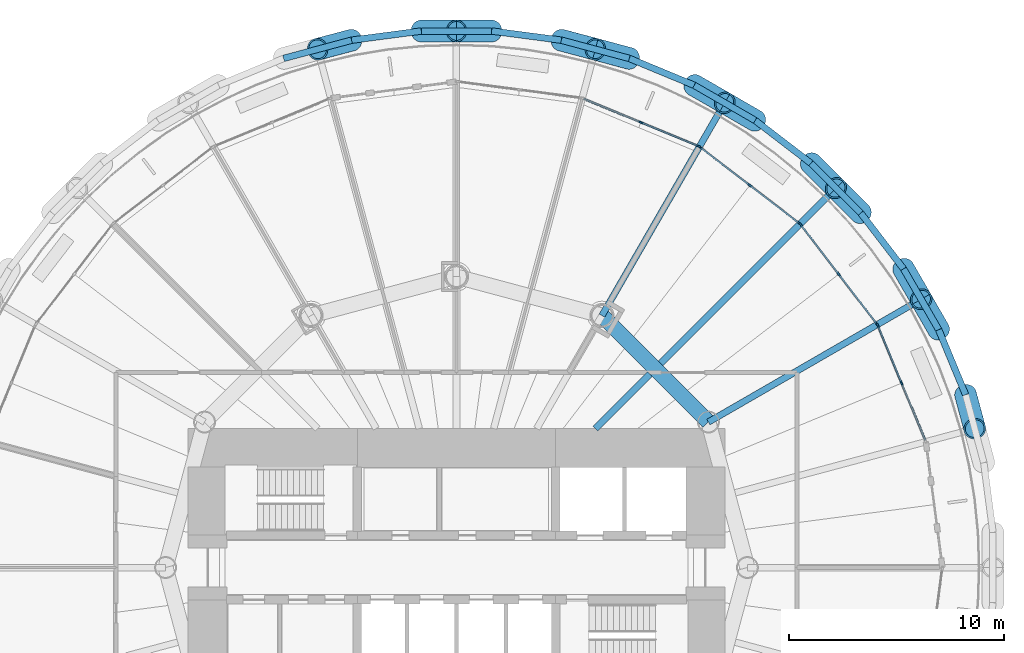
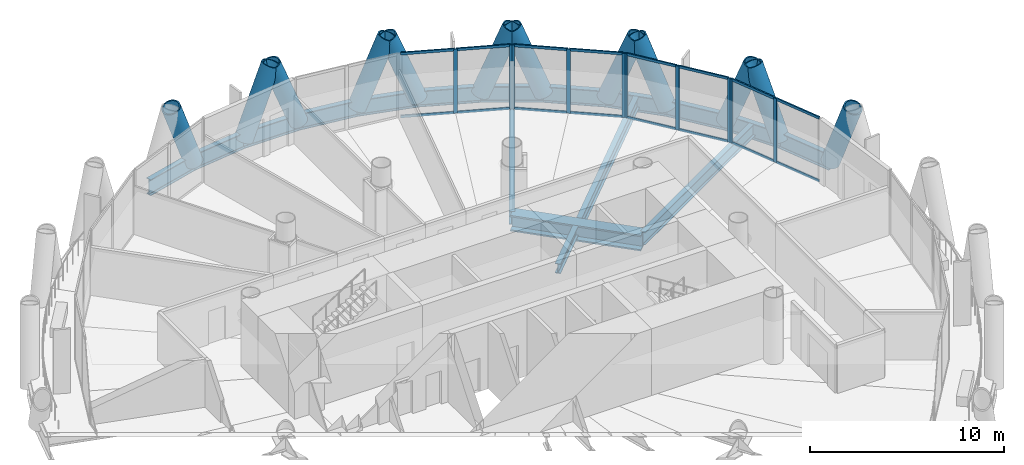
# One storey, part 7 of 16: 38 members, 17 beams, 4 elements without a shape of their own.
"""IFC4 building model written with IfcOpenShell, lengths in metres."""

from ifc_helpers import new_model, si_unit, direction, frame, origin, origin_2d, place, context, subcontext, project, spatial, rectangle, hollow_circle, i_section, extrude, material, material_profile, profile_set, type_object, element, aggregate, save


model = new_model("IFC4")

# Units and contexts
model_context = context("Model", 3, precision=1e-05, world=origin(), true_north=direction((0.0, 1.0)))
body_context = subcontext(model_context, "Body", "Model", "MODEL_VIEW")
ifc_project = project(units=[si_unit("LENGTHUNIT", "METRE"), si_unit("AREAUNIT", "SQUARE_METRE"), si_unit("VOLUMEUNIT", "CUBIC_METRE"), si_unit("PLANEANGLEUNIT", "RADIAN"), si_unit("MASSUNIT", "GRAM", prefix="KILO")], contexts=[model_context])

# Site, building, storey
site_placement = place(None, origin())
site = spatial("IfcSite", under=ifc_project, at=site_placement, CompositionType="ELEMENT")
building_placement = place(site_placement, origin())
building = spatial("IfcBuilding", under=site, at=building_placement, Name="Qaws Media Tower", CompositionType="ELEMENT")
storey_placement = place(building_placement, frame((0.0, 0.0, 139.39990234375)))
storey = spatial("IfcBuildingStorey", under=building, at=storey_placement, Name="L31", CompositionType="ELEMENT", Elevation=139.39990234375)

# Curtain wall, members
ifc_material_1 = material(Name="Aluminium and clear glass", Category="aluminium")
curtain_wall_type = type_object("IfcCurtainWallType", Name="Unitised curtain wall CW-B", PredefinedType="NOTDEFINED", material=ifc_material_1)
curtain_wall_1_placement = place(storey_placement, origin())
curtain_wall_1 = element("IfcCurtainWall", 1, at=curtain_wall_1_placement, inside=storey, type_object=curtain_wall_type, Name="CWB curtain wall L31-02", PredefinedType="NOTDEFINED")
ifc_material_2 = material(Name="Aluminium mullion", Category="aluminium")
ifc_material_profile_1 = material_profile(ifc_material_2, rectangle(XDim=0.080078125, YDim=0.199951171875, at=origin_2d()), Name="80x200")
ifc_profile_set_1 = profile_set([ifc_material_profile_1], Name="Aluminium mullion")
member_type_1 = type_object("IfcMemberType", Name="Curtain wall mullion 80x200", PredefinedType="MULLION", material=ifc_profile_set_1)
member_1_placement = place(storey_placement, frame((80.6552734375, 58.5556640625, 0.0), z_axis=(0.0, 0.0, 1.0), x_axis=(-0.923879575812, -0.382683327828, 0.0)))
member_1 = element("IfcMember", 2, at=member_1_placement, type_object=member_type_1, Name="CWB mullion 2", PredefinedType="MULLION", context=body_context, shape_type="SweptSolid", body=[
    extrude(rectangle(XDim=0.080078125, YDim=0.199951171875, at=origin_2d()), origin(), (0.0, 0.0, 1.0), 4.0400390625),
])
member_2_placement = place(storey_placement, frame((79.544189453125, 61.238037109375, 0.0), z_axis=(0.0, 0.0, 1.0), x_axis=(-0.923879575812, -0.382683327828, 0.0)))
member_2 = element("IfcMember", 3, at=member_2_placement, type_object=member_type_1, Name="CWB mullion 3", PredefinedType="MULLION", context=body_context, shape_type="SweptSolid", body=[
    extrude(rectangle(XDim=0.080078125, YDim=0.199951171875, at=origin_2d()), origin(), (0.0, 0.0, 1.0), 4.0400390625),
])

curtain_wall_2_placement = place(storey_placement, origin())
curtain_wall_2 = element("IfcCurtainWall", 4, at=curtain_wall_2_placement, inside=storey, type_object=curtain_wall_type, Name="CWB curtain wall L31-03", PredefinedType="NOTDEFINED")
member_3_placement = place(storey_placement, frame((79.504638671875, 61.306640625, 0.0), z_axis=(0.0, 0.0, 1.0), x_axis=(-0.793353340642, -0.608761428552, 0.0)))
member_3 = element("IfcMember", 5, at=member_3_placement, type_object=member_type_1, Name="CWB mullion 1", PredefinedType="MULLION", context=body_context, shape_type="SweptSolid", body=[
    extrude(rectangle(XDim=0.080078125, YDim=0.199951171875, at=origin_2d()), origin(), (0.0, 0.0, 1.0), 4.0400390625),
])
member_4_placement = place(storey_placement, frame((77.737060546875, 63.610107421875, 0.0), z_axis=(0.0, 0.0, 1.0), x_axis=(-0.793353340642, -0.608761428552, 0.0)))
member_4 = element("IfcMember", 6, at=member_4_placement, type_object=member_type_1, Name="CWB mullion 2", PredefinedType="MULLION", context=body_context, shape_type="SweptSolid", body=[
    extrude(rectangle(XDim=0.080078125, YDim=0.199951171875, at=origin_2d()), origin(), (0.0, 0.0, 1.0), 4.0400390625),
])
member_5_placement = place(storey_placement, frame((75.9697265625, 65.91357421875, 0.0), z_axis=(0.0, 0.0, 1.0), x_axis=(-0.793353340642, -0.608761428552, 0.0)))
member_5 = element("IfcMember", 7, at=member_5_placement, type_object=member_type_1, Name="CWB mullion 3", PredefinedType="MULLION", context=body_context, shape_type="SweptSolid", body=[
    extrude(rectangle(XDim=0.080078125, YDim=0.199951171875, at=origin_2d()), origin(), (0.0, 0.0, 1.0), 4.0400390625),
])

curtain_wall_3_placement = place(storey_placement, origin())
curtain_wall_3 = element("IfcCurtainWall", 8, at=curtain_wall_3_placement, inside=storey, type_object=curtain_wall_type, Name="CWB curtain wall L31-04", PredefinedType="NOTDEFINED")
member_6_placement = place(storey_placement, frame((75.91357421875, 65.9697265625, 0.0), z_axis=(0.0, 0.0, 1.0), x_axis=(-0.608761428552, -0.793353340642, 0.0)))
member_6 = element("IfcMember", 9, at=member_6_placement, type_object=member_type_1, Name="CWB mullion 1", PredefinedType="MULLION", context=body_context, shape_type="SweptSolid", body=[
    extrude(rectangle(XDim=0.080078125, YDim=0.199951171875, at=origin_2d()), origin(), (0.0, 0.0, 1.0), 4.0400390625),
])
member_7_placement = place(storey_placement, frame((73.610107421875, 67.737060546875, 0.0), z_axis=(0.0, 0.0, 1.0), x_axis=(-0.608761428552, -0.793353340642, 0.0)))
member_7 = element("IfcMember", 10, at=member_7_placement, type_object=member_type_1, Name="CWB mullion 2", PredefinedType="MULLION", context=body_context, shape_type="SweptSolid", body=[
    extrude(rectangle(XDim=0.080078125, YDim=0.199951171875, at=origin_2d()), origin(), (0.0, 0.0, 1.0), 4.0400390625),
])
member_8_placement = place(storey_placement, frame((71.306640625, 69.504638671875, 0.0), z_axis=(0.0, 0.0, 1.0), x_axis=(-0.608761428552, -0.793353340642, 0.0)))
member_8 = element("IfcMember", 11, at=member_8_placement, type_object=member_type_1, Name="CWB mullion 3", PredefinedType="MULLION", context=body_context, shape_type="SweptSolid", body=[
    extrude(rectangle(XDim=0.080078125, YDim=0.199951171875, at=origin_2d()), origin(), (0.0, 0.0, 1.0), 4.0400390625),
])

curtain_wall_4_placement = place(storey_placement, origin())
curtain_wall_4 = element("IfcCurtainWall", 12, at=curtain_wall_4_placement, inside=storey, type_object=curtain_wall_type, Name="CWB curtain wall L31-05", PredefinedType="NOTDEFINED")
member_9_placement = place(storey_placement, frame((71.238037109375, 69.544189453125, 0.0), z_axis=(0.0, 0.0, 1.0), x_axis=(-0.382683327828, -0.923879575812, 0.0)))
member_9 = element("IfcMember", 13, at=member_9_placement, type_object=member_type_1, Name="CWB mullion 1", PredefinedType="MULLION", context=body_context, shape_type="SweptSolid", body=[
    extrude(rectangle(XDim=0.080078125, YDim=0.199951171875, at=origin_2d()), origin(), (0.0, 0.0, 1.0), 4.0400390625),
])
member_10_placement = place(storey_placement, frame((68.5556640625, 70.6552734375, 0.0), z_axis=(0.0, 0.0, 1.0), x_axis=(-0.382683327828, -0.923879575812, 0.0)))
member_10 = element("IfcMember", 14, at=member_10_placement, type_object=member_type_1, Name="CWB mullion 2", PredefinedType="MULLION", context=body_context, shape_type="SweptSolid", body=[
    extrude(rectangle(XDim=0.080078125, YDim=0.199951171875, at=origin_2d()), origin(), (0.0, 0.0, 1.0), 4.0400390625),
])

# Member
ifc_material_3 = material(Name="Aluminium transom", Category="aluminium")
ifc_material_profile_2 = material_profile(ifc_material_3, rectangle(XDim=0.080078125, YDim=0.159912109375, at=origin_2d()), Name="80x160")
ifc_profile_set_2 = profile_set([ifc_material_profile_2], Name="Aluminium transom")
member_type_2 = type_object("IfcMemberType", Name="Curtain wall transom 80x160", PredefinedType="USERDEFINED", material=ifc_profile_set_2)
member_11_placement = place(storey_placement, frame((81.7509765625, 55.910400390625, 0.0400390625), z_axis=(-0.382649648969, 0.923893525329, 0.0), x_axis=(-0.923893525329, -0.382649648969, 0.0)))
member_11 = element("IfcMember", 15, at=member_11_placement, type_object=member_type_2, Name="CWB transom 1.1", ObjectType="TRANSOM", PredefinedType="USERDEFINED", context=body_context, shape_type="SweptSolid", body=[
    extrude(rectangle(XDim=0.080078125, YDim=0.159912109375, at=origin_2d()), origin(), (0.0, 0.0, 1.0), 2.8232421875),
])

member_12_placement = place(storey_placement, frame((81.7509765625, 55.910400390625, 4.0), z_axis=(-0.382649648969, 0.923893525329, 0.0), x_axis=(-0.923893525329, -0.382649648969, 0.0)))
member_12 = element("IfcMember", 16, at=member_12_placement, type_object=member_type_2, Name="CWB transom 1.2", ObjectType="TRANSOM", PredefinedType="USERDEFINED", context=body_context, shape_type="SweptSolid", body=[
    extrude(rectangle(XDim=0.080078125, YDim=0.159912109375, at=origin_2d()), origin(), (0.0, 0.0, 1.0), 2.8232421875),
])

member_13_placement = place(storey_placement, frame((80.639892578125, 58.592529296875, 0.0400390625), z_axis=(-0.382619080086, 0.923906185473, 0.0), x_axis=(-0.923906185473, -0.382619080086, 0.0)))
member_13 = element("IfcMember", 17, at=member_13_placement, type_object=member_type_2, Name="CWB transom 2.1", ObjectType="TRANSOM", PredefinedType="USERDEFINED", context=body_context, shape_type="SweptSolid", body=[
    extrude(rectangle(XDim=0.080078125, YDim=0.159912109375, at=origin_2d()), origin(), (0.0, 0.0, 1.0), 2.823486328125),
])

member_14_placement = place(storey_placement, frame((80.639892578125, 58.592529296875, 4.0), z_axis=(-0.382619080086, 0.923906185473, 0.0), x_axis=(-0.923906185473, -0.382619080086, 0.0)))
member_14 = element("IfcMember", 18, at=member_14_placement, type_object=member_type_2, Name="CWB transom 2.2", ObjectType="TRANSOM", PredefinedType="USERDEFINED", context=body_context, shape_type="SweptSolid", body=[
    extrude(rectangle(XDim=0.080078125, YDim=0.159912109375, at=origin_2d()), origin(), (0.0, 0.0, 1.0), 2.823486328125),
])

aggregate(curtain_wall_1, [member_1, member_2, member_11, member_12, member_13, member_14])

member_15_placement = place(storey_placement, frame((79.480224609375, 61.33837890625, 0.0400390625), z_axis=(-0.608749177051, 0.793362741399, 0.0), x_axis=(-0.793362741399, -0.608749177051, 0.0)))
member_15 = element("IfcMember", 19, at=member_15_placement, type_object=member_type_2, Name="CWB transom 1.1", ObjectType="TRANSOM", PredefinedType="USERDEFINED", context=body_context, shape_type="SweptSolid", body=[
    extrude(rectangle(XDim=0.080078125, YDim=0.159912109375, at=origin_2d()), origin(), (0.0, 0.0, 1.0), 2.823486328125),
])

member_16_placement = place(storey_placement, frame((79.480224609375, 61.33837890625, 4.0), z_axis=(-0.608749177051, 0.793362741399, 0.0), x_axis=(-0.793362741399, -0.608749177051, 0.0)))
member_16 = element("IfcMember", 20, at=member_16_placement, type_object=member_type_2, Name="CWB transom 1.2", ObjectType="TRANSOM", PredefinedType="USERDEFINED", context=body_context, shape_type="SweptSolid", body=[
    extrude(rectangle(XDim=0.080078125, YDim=0.159912109375, at=origin_2d()), origin(), (0.0, 0.0, 1.0), 2.823486328125),
])

member_17_placement = place(storey_placement, frame((77.712646484375, 63.641845703125, 0.0400390625), z_axis=(-0.608749177051, 0.793362741399, 0.0), x_axis=(-0.793362741399, -0.608749177051, 0.0)))
member_17 = element("IfcMember", 21, at=member_17_placement, type_object=member_type_2, Name="CWB transom 2.1", ObjectType="TRANSOM", PredefinedType="USERDEFINED", context=body_context, shape_type="SweptSolid", body=[
    extrude(rectangle(XDim=0.080078125, YDim=0.159912109375, at=origin_2d()), origin(), (0.0, 0.0, 1.0), 2.823486328125),
])

member_18_placement = place(storey_placement, frame((77.712646484375, 63.641845703125, 4.0), z_axis=(-0.608749177051, 0.793362741399, 0.0), x_axis=(-0.793362741399, -0.608749177051, 0.0)))
member_18 = element("IfcMember", 22, at=member_18_placement, type_object=member_type_2, Name="CWB transom 2.2", ObjectType="TRANSOM", PredefinedType="USERDEFINED", context=body_context, shape_type="SweptSolid", body=[
    extrude(rectangle(XDim=0.080078125, YDim=0.159912109375, at=origin_2d()), origin(), (0.0, 0.0, 1.0), 2.823486328125),
])

aggregate(curtain_wall_2, [member_3, member_4, member_5, member_15, member_16, member_17, member_18])

member_19_placement = place(storey_placement, frame((75.8818359375, 65.993896484375, 0.0400390625), z_axis=(-0.793362741399, 0.608749177051, 0.0), x_axis=(-0.608749177051, -0.793362741399, 0.0)))
member_19 = element("IfcMember", 23, at=member_19_placement, type_object=member_type_2, Name="CWB transom 1.1", ObjectType="TRANSOM", PredefinedType="USERDEFINED", context=body_context, shape_type="SweptSolid", body=[
    extrude(rectangle(XDim=0.080078125, YDim=0.159912109375, at=origin_2d()), origin(), (0.0, 0.0, 1.0), 2.823486328125),
])

member_20_placement = place(storey_placement, frame((75.8818359375, 65.993896484375, 4.0), z_axis=(-0.793362741399, 0.608749177051, 0.0), x_axis=(-0.608749177051, -0.793362741399, 0.0)))
member_20 = element("IfcMember", 24, at=member_20_placement, type_object=member_type_2, Name="CWB transom 1.2", ObjectType="TRANSOM", PredefinedType="USERDEFINED", context=body_context, shape_type="SweptSolid", body=[
    extrude(rectangle(XDim=0.080078125, YDim=0.159912109375, at=origin_2d()), origin(), (0.0, 0.0, 1.0), 2.823486328125),
])

member_21_placement = place(storey_placement, frame((73.578369140625, 67.761474609375, 0.0400390625), z_axis=(-0.793362741399, 0.608749177051, 0.0), x_axis=(-0.608749177051, -0.793362741399, 0.0)))
member_21 = element("IfcMember", 25, at=member_21_placement, type_object=member_type_2, Name="CWB transom 2.1", ObjectType="TRANSOM", PredefinedType="USERDEFINED", context=body_context, shape_type="SweptSolid", body=[
    extrude(rectangle(XDim=0.080078125, YDim=0.159912109375, at=origin_2d()), origin(), (0.0, 0.0, 1.0), 2.823486328125),
])

member_22_placement = place(storey_placement, frame((73.578369140625, 67.761474609375, 4.0), z_axis=(-0.793362741399, 0.608749177051, 0.0), x_axis=(-0.608749177051, -0.793362741399, 0.0)))
member_22 = element("IfcMember", 26, at=member_22_placement, type_object=member_type_2, Name="CWB transom 2.2", ObjectType="TRANSOM", PredefinedType="USERDEFINED", context=body_context, shape_type="SweptSolid", body=[
    extrude(rectangle(XDim=0.080078125, YDim=0.159912109375, at=origin_2d()), origin(), (0.0, 0.0, 1.0), 2.823486328125),
])

aggregate(curtain_wall_3, [member_6, member_7, member_8, member_19, member_20, member_21, member_22])

member_23_placement = place(storey_placement, frame((71.201171875, 69.5595703125, 0.0400390625), z_axis=(-0.923906185473, 0.382619080086, 0.0), x_axis=(-0.382619080086, -0.923906185473, 0.0)))
member_23 = element("IfcMember", 27, at=member_23_placement, type_object=member_type_2, Name="CWB transom 1.1", ObjectType="TRANSOM", PredefinedType="USERDEFINED", context=body_context, shape_type="SweptSolid", body=[
    extrude(rectangle(XDim=0.080078125, YDim=0.159912109375, at=origin_2d()), origin(), (0.0, 0.0, 1.0), 2.823486328125),
])

member_24_placement = place(storey_placement, frame((71.201171875, 69.5595703125, 4.0), z_axis=(-0.923906185473, 0.382619080086, 0.0), x_axis=(-0.382619080086, -0.923906185473, 0.0)))
member_24 = element("IfcMember", 28, at=member_24_placement, type_object=member_type_2, Name="CWB transom 1.2", ObjectType="TRANSOM", PredefinedType="USERDEFINED", context=body_context, shape_type="SweptSolid", body=[
    extrude(rectangle(XDim=0.080078125, YDim=0.159912109375, at=origin_2d()), origin(), (0.0, 0.0, 1.0), 2.823486328125),
])

member_25_placement = place(storey_placement, frame((68.518798828125, 70.670654296875, 0.0400390625), z_axis=(-0.923893525329, 0.382649648969, 0.0), x_axis=(-0.382649648969, -0.923893525329, 0.0)))
member_25 = element("IfcMember", 29, at=member_25_placement, type_object=member_type_2, Name="CWB transom 2.1", ObjectType="TRANSOM", PredefinedType="USERDEFINED", context=body_context, shape_type="SweptSolid", body=[
    extrude(rectangle(XDim=0.080078125, YDim=0.159912109375, at=origin_2d()), origin(), (0.0, 0.0, 1.0), 2.8232421875),
])

member_26_placement = place(storey_placement, frame((68.518798828125, 70.670654296875, 4.0), z_axis=(-0.923893525329, 0.382649648969, 0.0), x_axis=(-0.382649648969, -0.923893525329, 0.0)))
member_26 = element("IfcMember", 30, at=member_26_placement, type_object=member_type_2, Name="CWB transom 2.2", ObjectType="TRANSOM", PredefinedType="USERDEFINED", context=body_context, shape_type="SweptSolid", body=[
    extrude(rectangle(XDim=0.080078125, YDim=0.159912109375, at=origin_2d()), origin(), (0.0, 0.0, 1.0), 2.8232421875),
])

aggregate(curtain_wall_4, [member_9, member_10, member_23, member_24, member_25, member_26])

# Members
ifc_material_4 = material(Name="Steel S460", Category="steel")
ifc_material_profile_3 = material_profile(ifc_material_4, hollow_circle(Radius=0.508056640625, WallThickness=0.070068359375, at=origin_2d()), Name="CHS 1016x70")
ifc_profile_set_3 = profile_set([ifc_material_profile_3], Name="Steel S460")
member_type_3 = type_object("IfcMemberType", Name="Diagrid member CHS 1016x70", PredefinedType="USERDEFINED", material=ifc_profile_set_3)
for number, where, z_axis, x_axis, name in (
    (31, (82.376953125, 61.03515625, -0.663818359375), (-0.180431724863, 0.313994548223, 0.932122211059), (-0.867043661237, -0.498232164266, 0.0), "DG3 diagrid L31 A02"),
    (32, (83.6259765625, 58.02001953125, -0.663818359375), (0.094441035897, -0.349643146667, 0.932110809254), (0.965403100068, 0.260762064686, 0.0), "DG3 diagrid L31 B02"),
    (33, (78.75830078125, 66.45068359375, -0.663818359375), (-0.255530549605, 0.25661422454, 0.932122995094), (-0.708601400522, -0.705608995959, 0.0), "DG3 diagrid L31 A03"),
    (34, (80.7451171875, 63.861572265625, -0.663818359375), (0.181729488712, -0.313285600397, 0.932108644696), (0.865002619616, 0.501767344551, 0.0), "DG3 diagrid L31 B03"),
    (35, (73.861572265625, 70.7451171875, -0.663818359375), (-0.313285600397, 0.181729488712, 0.932108644696), (-0.501767344551, -0.865002619616, 0.0), "DG3 diagrid L31 A04"),
    (36, (76.45068359375, 68.75830078125, -0.663818359375), (0.25661422454, -0.255530549605, 0.932122995094), (0.705608995959, 0.708601400522, 0.0), "DG3 diagrid L31 B04"),
    (37, (68.02001953125, 73.6259765625, -0.663818359375), (-0.349643146667, 0.094441035897, 0.932110809254), (-0.260762064686, -0.965403100068, 0.0), "DG3 diagrid L31 A05"),
    (38, (71.03515625, 72.376953125, -0.663818359375), (0.313994548223, -0.180431724863, 0.932122211059), (0.498232164266, 0.867043661237, 0.0), "DG3 diagrid L31 B05"),
    (39, (61.6318359375, 74.896484375, -0.663818359375), (-0.3621611329, 0.000758566107, 0.932115195882), (-0.002094549565, -0.999997806429, 0.0), "DG3 diagrid L31 A06"),
    (40, (64.867431640625, 74.470703125, -0.663818359375), (0.350022206489, -0.09303221804, 0.93211021954), (0.256871087531, 0.966445675861, 0.0), "DG3 diagrid L31 B06"),
    (41, (55.132568359375, 74.470703125, -0.663818359375), (-0.350022206489, -0.09303221804, 0.93211021954), (0.256871087531, -0.966445675861, 0.0), "DG3 diagrid L31 A07"),
    (42, (58.3681640625, 74.896484375, -0.663818359375), (0.3621611329, 0.000758566107, 0.932115195882), (-0.002094549565, 0.999997806429, 0.0), "DG3 diagrid L31 B07"),
):
    element("IfcMember", number, at=place(storey_placement, frame(where, z_axis=z_axis, x_axis=x_axis)), inside=storey, type_object=member_type_3, Name=name, ObjectType="DIAGRID", PredefinedType="USERDEFINED", context=body_context, shape_type="SweptSolid", body=[
        extrude(hollow_circle(Radius=0.508056640625, WallThickness=0.070068359375, at=origin_2d()), origin(), (0.0, 0.0, 1.0), 4.505859375),
    ])

# Beams
ifc_material_5 = material(Name="Steel S460", Category="steel")
ifc_material_profile_4 = material_profile(ifc_material_5, i_section(OverallWidth=0.302001953125, OverallDepth=1.008056640625, WebThickness=0.02099609375, FlangeThickness=0.0400390625, FilletRadius=0.030029296875, at=origin_2d()), Name="HE 1000 M")
ifc_profile_set_4 = profile_set([ifc_material_profile_4], Name="Steel S460")
beam_type_1 = type_object("IfcBeamType", Name="Edge ring beam HE 1000 M", PredefinedType="BEAM", material=ifc_profile_set_4)
for number, where, z_axis, x_axis, name in (
    (43, (83.6259765625, 58.02001953125, -0.663818359375), (-0.382712963939, 0.92386729958, 0.0), (-0.92386729958, -0.382712963939, 0.0), "RB3 edge ring beam L31-03"),
    (44, (82.376953125, 61.03515625, -0.663818359375), (-0.500000893942, 0.866024887666, 0.0), (-0.866024887666, -0.500000893942, 0.0), "RB3 edge ring beam L31-04"),
    (45, (80.7451171875, 63.861572265625, -0.663818359375), (-0.608784843592, 0.793335373101, 0.0), (-0.793335373101, -0.608784843592, 0.0), "RB3 edge ring beam L31-05"),
):
    element("IfcBeam", number, at=place(storey_placement, frame(where, z_axis=z_axis, x_axis=x_axis)), inside=storey, type_object=beam_type_1, Name=name, PredefinedType="BEAM", context=body_context, shape_type="SweptSolid", body=[
        extrude(i_section(OverallWidth=0.302001953125, OverallDepth=1.008056640625, WebThickness=0.02099609375, FlangeThickness=0.0400390625, FilletRadius=0.030029296875, at=origin_2d()), origin(), (0.0, 0.0, 1.0), 3.263671875),
    ])
beam_1_placement = place(storey_placement, frame((78.75830078125, 66.45068359375, -0.663818359375), z_axis=(-0.707106781187, 0.707106781187, 0.0), x_axis=(-0.707106781187, -0.707106781187, 0.0)))
element("IfcBeam", 46, at=beam_1_placement, inside=storey, type_object=beam_type_1, Name="RB3 edge ring beam L31-06", PredefinedType="BEAM", context=body_context, shape_type="SweptSolid", body=[
    extrude(i_section(OverallWidth=0.302001953125, OverallDepth=1.008056640625, WebThickness=0.02099609375, FlangeThickness=0.0400390625, FilletRadius=0.030029296875, at=origin_2d()), origin(), (0.0, 0.0, 1.0), 3.263427734375),
])
for number, where, z_axis, x_axis, name in (
    (47, (76.45068359375, 68.75830078125, -0.663818359375), (-0.793335373101, 0.608784843592, 0.0), (-0.608784843592, -0.793335373101, 0.0), "RB3 edge ring beam L31-07"),
    (48, (73.861572265625, 70.7451171875, -0.663818359375), (-0.866024887666, 0.500000893942, 0.0), (-0.500000893942, -0.866024887666, 0.0), "RB3 edge ring beam L31-08"),
    (49, (71.03515625, 72.376953125, -0.663818359375), (-0.92386729958, 0.382712963939, 0.0), (-0.382712963939, -0.92386729958, 0.0), "RB3 edge ring beam L31-09"),
):
    element("IfcBeam", number, at=place(storey_placement, frame(where, z_axis=z_axis, x_axis=x_axis)), inside=storey, type_object=beam_type_1, Name=name, PredefinedType="BEAM", context=body_context, shape_type="SweptSolid", body=[
        extrude(i_section(OverallWidth=0.302001953125, OverallDepth=1.008056640625, WebThickness=0.02099609375, FlangeThickness=0.0400390625, FilletRadius=0.030029296875, at=origin_2d()), origin(), (0.0, 0.0, 1.0), 3.263671875),
    ])
beam_2_placement = place(storey_placement, frame((68.02001953125, 73.6259765625, -0.663818359375), z_axis=(-0.965926348444, 0.258817096385, 0.0), x_axis=(-0.258817096385, -0.965926348444, 0.0)))
element("IfcBeam", 50, at=beam_2_placement, inside=storey, type_object=beam_type_1, Name="RB3 edge ring beam L31-10", PredefinedType="BEAM", context=body_context, shape_type="SweptSolid", body=[
    extrude(i_section(OverallWidth=0.302001953125, OverallDepth=1.008056640625, WebThickness=0.02099609375, FlangeThickness=0.0400390625, FilletRadius=0.030029296875, at=origin_2d()), origin(), (0.0, 0.0, 1.0), 3.263916015625),
])
beam_3_placement = place(storey_placement, frame((64.867431640625, 74.470703125, -0.663818359375), z_axis=(-0.991452513055, 0.130468058762, 0.0), x_axis=(-0.130468058762, -0.991452513055, 0.0)))
element("IfcBeam", 51, at=beam_3_placement, inside=storey, type_object=beam_type_1, Name="RB3 edge ring beam L31-11", PredefinedType="BEAM", context=body_context, shape_type="SweptSolid", body=[
    extrude(i_section(OverallWidth=0.302001953125, OverallDepth=1.008056640625, WebThickness=0.02099609375, FlangeThickness=0.0400390625, FilletRadius=0.030029296875, at=origin_2d()), origin(), (0.0, 0.0, 1.0), 3.263427734375),
])
beam_4_placement = place(storey_placement, frame((61.6318359375, 74.896484375, -0.663818359375), z_axis=(-1.0, 0.0, 0.0), x_axis=(0.0, -1.0, 0.0)))
element("IfcBeam", 52, at=beam_4_placement, inside=storey, type_object=beam_type_1, Name="RB3 edge ring beam L31-12", PredefinedType="BEAM", context=body_context, shape_type="SweptSolid", body=[
    extrude(i_section(OverallWidth=0.302001953125, OverallDepth=1.008056640625, WebThickness=0.02099609375, FlangeThickness=0.0400390625, FilletRadius=0.030029296875, at=origin_2d()), origin(), (0.0, 0.0, 1.0), 3.263671875),
])
beam_5_placement = place(storey_placement, frame((58.3681640625, 74.896484375, -0.663818359375), z_axis=(-0.991452513055, -0.130468058762, 0.0), x_axis=(0.130468058762, -0.991452513055, 0.0)))
element("IfcBeam", 53, at=beam_5_placement, inside=storey, type_object=beam_type_1, Name="RB3 edge ring beam L31-13", PredefinedType="BEAM", context=body_context, shape_type="SweptSolid", body=[
    extrude(i_section(OverallWidth=0.302001953125, OverallDepth=1.008056640625, WebThickness=0.02099609375, FlangeThickness=0.0400390625, FilletRadius=0.030029296875, at=origin_2d()), origin(), (0.0, 0.0, 1.0), 3.263427734375),
])
beam_6_placement = place(storey_placement, frame((55.132568359375, 74.470703125, -0.663818359375), z_axis=(-0.965926348444, -0.258817096385, 0.0), x_axis=(0.258817096385, -0.965926348444, 0.0)))
element("IfcBeam", 54, at=beam_6_placement, inside=storey, type_object=beam_type_1, Name="RB3 edge ring beam L31-14", PredefinedType="BEAM", context=body_context, shape_type="SweptSolid", body=[
    extrude(i_section(OverallWidth=0.302001953125, OverallDepth=1.008056640625, WebThickness=0.02099609375, FlangeThickness=0.0400390625, FilletRadius=0.030029296875, at=origin_2d()), origin(), (0.0, 0.0, 1.0), 3.263916015625),
])
ifc_material_6 = material(Name="Steel S460", Category="steel")
ifc_material_profile_5 = material_profile(ifc_material_6, i_section(OverallWidth=0.699951171875, OverallDepth=1.0, WebThickness=0.034912109375, FlangeThickness=0.090087890625, at=origin_2d()), Name="PG 1000x700")
ifc_profile_set_5 = profile_set([ifc_material_profile_5], Name="Steel S460")
beam_type_2 = type_object("IfcBeamType", Name="Inner ring girder PG 1000x700", PredefinedType="BEAM", material=ifc_profile_set_5)
beam_7_placement = place(storey_placement, frame((71.69140625, 56.75, -0.659912109375), z_axis=(-0.707106781187, 0.707106781187, 0.0), x_axis=(-0.707106781187, -0.707106781187, 0.0)))
element("IfcBeam", 55, at=beam_7_placement, inside=storey, type_object=beam_type_2, Name="B3 inner ring beam L31 I02-I03", PredefinedType="BEAM", context=body_context, shape_type="SweptSolid", body=[
    extrude(i_section(OverallWidth=0.699951171875, OverallDepth=1.0, WebThickness=0.034912109375, FlangeThickness=0.090087890625, at=origin_2d()), origin(), (0.0, 0.0, 1.0), 6.98828125),
])
ifc_material_7 = material(Name="Steel S355", Category="steel")
ifc_material_profile_6 = material_profile(ifc_material_7, i_section(OverallWidth=0.304931640625, OverallDepth=0.6201171875, WebThickness=0.02099609375, FlangeThickness=0.0400390625, FilletRadius=0.027099609375, at=origin_2d()), Name="HE 600 M")
ifc_profile_set_6 = profile_set([ifc_material_profile_6], Name="Steel S355")
beam_type_3 = type_object("IfcBeamType", Name="Radial beam HE 600 M, core side", PredefinedType="BEAM", material=ifc_profile_set_6)
beam_8_placement = place(storey_placement, frame((66.449951171875, 56.449951171875, -0.469970703125), z_axis=(0.707106781187, 0.707106781187, 0.0), x_axis=(-0.707106781187, 0.707106781187, 0.0)))
element("IfcBeam", 56, at=beam_8_placement, inside=storey, type_object=beam_type_3, Name="B2 radial beam L31 04", PredefinedType="BEAM", context=body_context, shape_type="SweptSolid", body=[
    extrude(i_section(OverallWidth=0.304931640625, OverallDepth=0.6201171875, WebThickness=0.02099609375, FlangeThickness=0.0400390625, FilletRadius=0.027099609375, at=origin_2d()), origin(), (0.0, 0.0, 1.0), 3.568359375),
])
ifc_material_8 = material(Name="Steel S355", Category="steel")
ifc_material_profile_7 = material_profile(ifc_material_8, i_section(OverallWidth=0.300048828125, OverallDepth=0.800048828125, WebThickness=0.017578125, FlangeThickness=0.032958984375, FilletRadius=0.030029296875, at=origin_2d()), Name="HE 800 B")
ifc_profile_set_7 = profile_set([ifc_material_profile_7], Name="Steel S355")
beam_type_4 = type_object("IfcBeamType", Name="Radial beam HE 800 B", PredefinedType="BEAM", material=ifc_profile_set_7)
beam_9_placement = place(storey_placement, frame((71.69140625, 56.75, -0.559814453125), z_axis=(0.866025051124, 0.500000610825, 0.0), x_axis=(-0.500000610825, 0.866025051124, 0.0)))
element("IfcBeam", 57, at=beam_9_placement, inside=storey, type_object=beam_type_4, Name="B1 radial beam L31 03", PredefinedType="BEAM", context=body_context, shape_type="SweptSolid", body=[
    extrude(i_section(OverallWidth=0.300048828125, OverallDepth=0.800048828125, WebThickness=0.017578125, FlangeThickness=0.032958984375, FilletRadius=0.030029296875, at=origin_2d()), origin(), (0.0, 0.0, 1.0), 11.396484375),
])
beam_10_placement = place(storey_placement, frame((69.46826171875, 59.46826171875, -0.559814453125), z_axis=(0.707106781187, 0.707106781187, 0.0), x_axis=(-0.707106781187, 0.707106781187, 0.0)))
element("IfcBeam", 58, at=beam_10_placement, inside=storey, type_object=beam_type_4, Name="B1 radial beam L31 04", PredefinedType="BEAM", context=body_context, shape_type="SweptSolid", body=[
    extrude(i_section(OverallWidth=0.300048828125, OverallDepth=0.800048828125, WebThickness=0.017578125, FlangeThickness=0.032958984375, FilletRadius=0.030029296875, at=origin_2d()), origin(), (0.0, 0.0, 1.0), 11.50634765625),
])
beam_11_placement = place(storey_placement, frame((66.75, 61.69140625, -0.559814453125), z_axis=(0.500000610825, 0.866025051124, 0.0), x_axis=(-0.866025051124, 0.500000610825, 0.0)))
element("IfcBeam", 59, at=beam_11_placement, inside=storey, type_object=beam_type_4, Name="B1 radial beam L31 05", PredefinedType="BEAM", context=body_context, shape_type="SweptSolid", body=[
    extrude(i_section(OverallWidth=0.300048828125, OverallDepth=0.800048828125, WebThickness=0.017578125, FlangeThickness=0.032958984375, FilletRadius=0.030029296875, at=origin_2d()), origin(), (0.0, 0.0, 1.0), 11.396484375),
])

save(model, "model.ifc")
